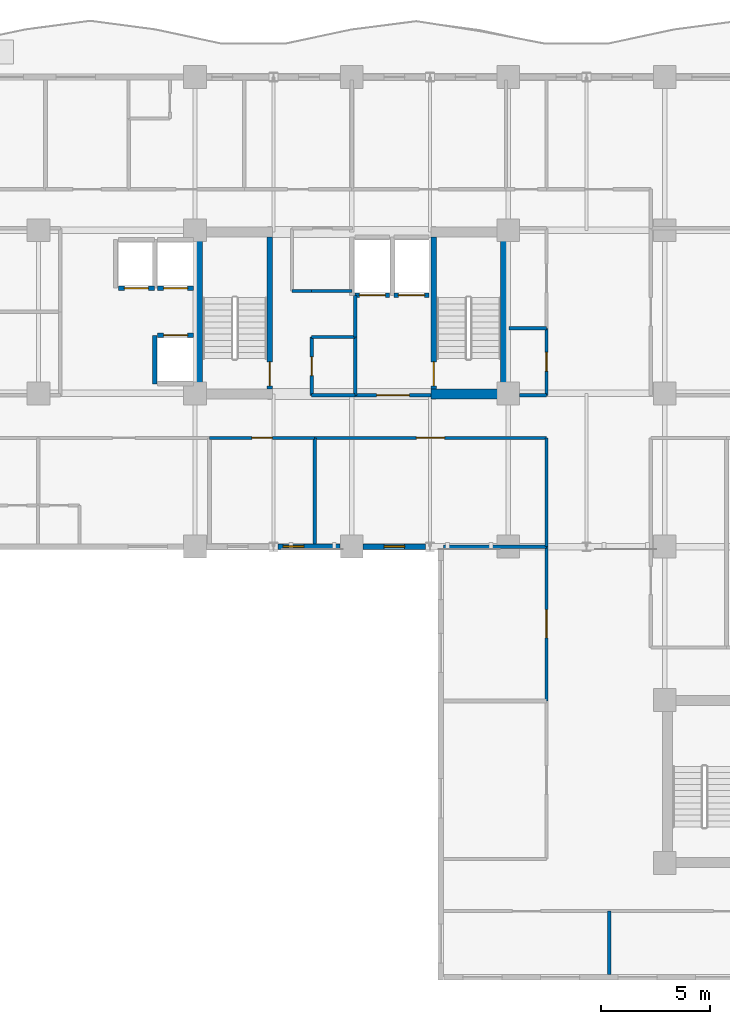
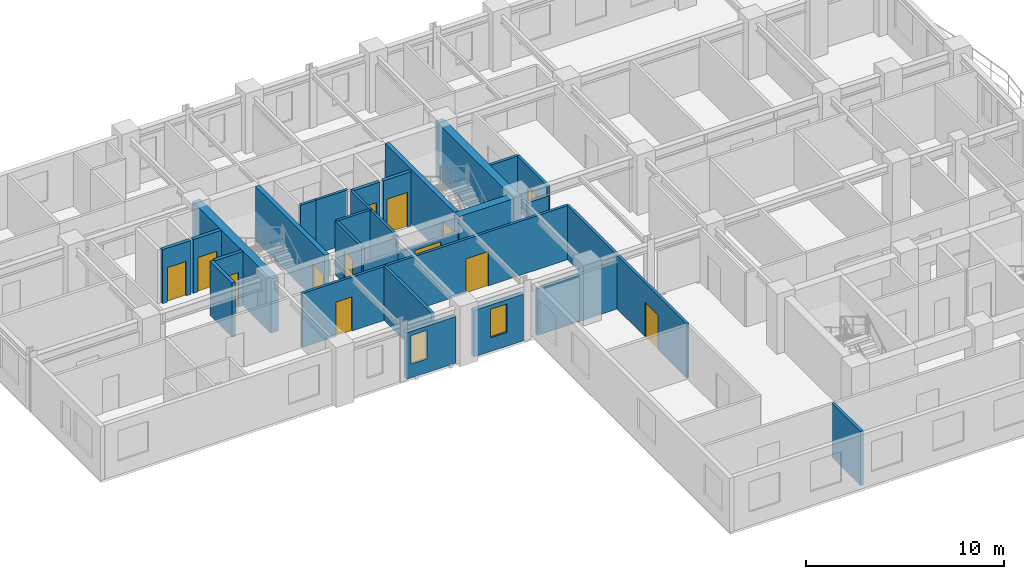
# One storey, part 5 of 13: 31 walls, 13 doors, 2 windows, 15 openings.
"""IFC4 building model written with IfcOpenShell, lengths in metres."""

from ifc_helpers import new_model, si_unit, direction, frame, frame_2d, origin, place, context, subcontext, project, spatial, rectangle, extrude, material, layer, layer_set, type_object, element, fill, save


model = new_model("IFC4")

# Units and contexts
model_context = context("Model", 3, precision=1e-05, world=origin(), true_north=direction((0.0, 1.0)))
body_context = subcontext(model_context, "Body", "Model", "MODEL_VIEW")
ifc_project = project(units=[si_unit("LENGTHUNIT", "METRE"), si_unit("AREAUNIT", "SQUARE_METRE"), si_unit("VOLUMEUNIT", "CUBIC_METRE"), si_unit("PLANEANGLEUNIT", "RADIAN"), si_unit("MASSUNIT", "GRAM", prefix="KILO")], contexts=[model_context])

# Site, building, storey
site_placement = place(None, origin())
site = spatial("IfcSite", under=ifc_project, at=site_placement, CompositionType="ELEMENT")
building_placement = place(site_placement, origin())
building = spatial("IfcBuilding", under=site, at=building_placement, Name="Kaliganga Portal Commons", CompositionType="ELEMENT")
storey_placement = place(building_placement, frame((0.0, 0.0, 188.300048828125)))
storey = spatial("IfcBuildingStorey", under=building, at=storey_placement, Name="L48", CompositionType="ELEMENT", Elevation=188.300048828125)

# Walls
ifc_material_1 = material(Name="Concrete C60/75", Category="concrete")
ifc_layer_1 = layer(ifc_material_1, 0.449951171875)
ifc_layer_set_1 = layer_set([ifc_layer_1], Name="Concrete C60/75")
wall_type_1 = type_object("IfcWallType", Name="WL-CORE-450", PredefinedType="SHEAR", material=ifc_layer_set_1)
for number, where, z_axis, x_axis, name in (
    (1, (14.52490234375, 28.39990234375, 0.0), (0.0, 0.0, 1.0), (0.0, 1.0, 0.0), "Core A West Shear Wall L48"),
    (2, (28.675048828125, 28.39990234375, 0.0), (0.0, 0.0, 1.0), (0.0, 1.0, 0.0), "Core A East Shear Wall L48"),
):
    element("IfcWall", number, at=place(storey_placement, frame(where, z_axis=z_axis, x_axis=x_axis)), inside=storey, type_object=wall_type_1, Name=name, PredefinedType="SHEAR", context=body_context, shape_type="SweptSolid", body=[
        extrude(rectangle(XDim=7.900146484375, YDim=0.449951171875, at=frame_2d((3.9501953125, 0.0))), origin(), (0.0, 0.0, 1.0), 3.33984375),
    ])
wall_1_placement = place(storey_placement, frame((25.25, 28.625, 0.0), z_axis=(0.0, 0.0, 1.0), x_axis=(1.0, 0.0, 0.0)))
element("IfcWall", 3, at=wall_1_placement, inside=storey, type_object=wall_type_1, Name="Core A S-East Shear Wall L48", PredefinedType="SHEAR", context=body_context, shape_type="SweptSolid", body=[
    extrude(rectangle(XDim=3.199951171875, YDim=0.449951171875, at=frame_2d((1.60009765625, 0.0))), origin(), (0.0, 0.0, 1.0), 3.33984375),
])

# Wall, opening, window
ifc_material_2 = material(Name="Insulated Aluminium-Clad Spandrel Assembly", Category="aluminium")
ifc_layer_2 = layer(ifc_material_2, 0.260009765625)
ifc_layer_set_2 = layer_set([ifc_layer_2], Name="Insulated Aluminium-Clad Spandrel Assembly")
wall_type_2 = type_object("IfcWallType", Name="WL-EXT-SPAND-260", PredefinedType="STANDARD", material=ifc_layer_set_2)
wall_2_placement = place(storey_placement, frame((21.073974609375, 21.60009765625, 0.0), z_axis=(0.0, 0.0, 1.0), x_axis=(-1.0, 0.0, 0.0)))
wall_2 = element("IfcWall", 4, at=wall_2_placement, inside=storey, type_object=wall_type_2, Name="Exterior Envelope Wall L48 P1-E04-S3", PredefinedType="STANDARD", context=body_context, shape_type="SweptSolid", body=[
    extrude(rectangle(XDim=2.87109375, YDim=0.260009765625, at=frame_2d((1.435546875, 0.0))), origin(), (0.0, 0.0, 1.0), 2.869873046875),
])
opening_1_placement = place(wall_2_placement, frame((1.672607421875, 0.0, 0.85009765625)))
opening_1 = element("IfcOpeningElement", 5, at=opening_1_placement, cuts=wall_2, Name="Opening W-04", PredefinedType="OPENING", context=body_context, shape_type="SweptSolid", body=[
    extrude(rectangle(XDim=0.949951171875, YDim=1.75, at=frame_2d((0.47509765625, 0.875))), frame((0.0, 0.14013671875, 0.0), z_axis=(0.0, -1.0, 0.0), x_axis=(1.0, 0.0, 0.0)), (0.0, 0.0, 1.0), 0.280029296875),
])
ifc_material_3 = material(Name="Thermally Broken Aluminium and Low-E Double Glazing", Category="aluminium")
window_type = type_object("IfcWindowType", Name="WIN-NARROW-950", PartitioningType="SINGLE_PANEL", PredefinedType="WINDOW", material=ifc_material_3)
window_1_placement = place(opening_1_placement, origin())
window_1 = element("IfcWindow", 6, at=window_1_placement, inside=storey, type_object=window_type, Name="Facade Window L48-P1E04S3-N2", OverallHeight=1.75, OverallWidth=0.949951171875, PartitioningType="SINGLE_PANEL", PredefinedType="WINDOW", context=body_context, shape_type="SweptSolid", body=[
    extrude(rectangle(XDim=0.949951171875, YDim=1.75, at=frame_2d((0.47509765625, 0.875))), frame((0.0, 0.030029296875, 0.0), z_axis=(0.0, -1.0, 0.0), x_axis=(1.0, 0.0, 0.0)), (0.0, 0.0, 1.0), 0.06005859375),
])
fill(opening_1, window_1)

wall_3_placement = place(storey_placement, frame((24.9970703125, 21.60009765625, 0.0), z_axis=(0.0, 0.0, 1.0), x_axis=(-1.0, 0.0, 0.0)))
wall_3 = element("IfcWall", 7, at=wall_3_placement, inside=storey, type_object=wall_type_2, Name="Exterior Envelope Wall L48 P1-E04-S4", PredefinedType="STANDARD", context=body_context, shape_type="SweptSolid", body=[
    extrude(rectangle(XDim=2.87109375, YDim=0.260009765625, at=frame_2d((1.435546875, 0.0))), origin(), (0.0, 0.0, 1.0), 2.869873046875),
])
opening_2_placement = place(wall_3_placement, frame((0.96044921875, 0.0, 0.85009765625)))
opening_2 = element("IfcOpeningElement", 8, at=opening_2_placement, cuts=wall_3, Name="Opening W-04", PredefinedType="OPENING", context=body_context, shape_type="SweptSolid", body=[
    extrude(rectangle(XDim=0.949951171875, YDim=1.75, at=frame_2d((0.47509765625, 0.875))), frame((0.0, 0.14013671875, 0.0), z_axis=(0.0, -1.0, 0.0), x_axis=(1.0, 0.0, 0.0)), (0.0, 0.0, 1.0), 0.280029296875),
])
window_2_placement = place(opening_2_placement, origin())
window_2 = element("IfcWindow", 9, at=window_2_placement, inside=storey, type_object=window_type, Name="Facade Window L48-P1E04S4-00", OverallHeight=1.75, OverallWidth=0.949951171875, PartitioningType="SINGLE_PANEL", PredefinedType="WINDOW", context=body_context, shape_type="SweptSolid", body=[
    extrude(rectangle(XDim=0.949951171875, YDim=1.75, at=frame_2d((0.47509765625, 0.875))), frame((0.0, 0.030029296875, 0.0), z_axis=(0.0, -1.0, 0.0), x_axis=(1.0, 0.0, 0.0)), (0.0, 0.0, 1.0), 0.06005859375),
])
fill(opening_2, window_2)

# Wall, opening, door
ifc_material_4 = material(Name="Fire-Rated Gypsum Board on Steel Stud", Category="steel")
ifc_layer_3 = layer(ifc_material_4, 0.14990234375)
ifc_layer_set_3 = layer_set([ifc_layer_3], Name="Fire-Rated Gypsum Board on Steel Stud")
wall_type_3 = type_object("IfcWallType", Name="WL-PART-CORR-150", PredefinedType="PARTITIONING", material=ifc_layer_set_3)
wall_4_placement = place(storey_placement, frame((19.89990234375, 26.60009765625, 0.0), z_axis=(0.0, 0.0, 1.0), x_axis=(1.0, 0.0, 0.0)))
wall_4 = element("IfcWall", 10, at=wall_4_placement, inside=storey, type_object=wall_type_3, Name="Interior Partition L48-010", PredefinedType="PARTITIONING", context=body_context, shape_type="SweptSolid", body=[
    extrude(rectangle(XDim=10.66015625, YDim=0.14990234375, at=frame_2d((5.330078125, 0.0))), origin(), (0.0, 0.0, 1.0), 3.320068359375),
])
opening_3_placement = place(wall_4_placement, frame((4.679931640625, 0.0, 0.0)))
opening_3 = element("IfcOpeningElement", 11, at=opening_3_placement, cuts=wall_4, Name="Opening RD-03", PredefinedType="OPENING", context=body_context, shape_type="SweptSolid", body=[
    extrude(rectangle(XDim=1.300048828125, YDim=2.1201171875, at=frame_2d((0.64990234375, 1.06005859375))), frame((0.0, 0.0849609375, 0.0), z_axis=(0.0, -1.0, 0.0), x_axis=(1.0, 0.0, 0.0)), (0.0, 0.0, 1.0), 0.169921875),
])
ifc_material_5 = material(Name="Glazed Timber Seminar Vision Door", Category="wood")
door_type_1 = type_object("IfcDoorType", Name="DR-STUDY-1300", OperationType="DOUBLE_DOOR_SINGLE_SWING", PredefinedType="DOOR", material=ifc_material_5)
door_1_placement = place(opening_3_placement, origin())
door_1 = element("IfcDoor", 12, at=door_1_placement, inside=storey, type_object=door_type_1, Name="Interior Door L48-AS04", OperationType="DOUBLE_DOOR_SINGLE_SWING", OverallHeight=2.1201171875, OverallWidth=1.300048828125, PredefinedType="DOOR", context=body_context, shape_type="SweptSolid", body=[
    extrude(rectangle(XDim=1.300048828125, YDim=2.1201171875, at=frame_2d((0.64990234375, 1.06005859375))), frame((0.0, 0.02490234375, 0.0), z_axis=(0.0, -1.0, 0.0), x_axis=(1.0, 0.0, 0.0)), (0.0, 0.0, 1.0), 0.050048828125),
])
fill(opening_3, door_1)

wall_5_placement = place(storey_placement, frame((30.56005859375, 14.5, 0.0), z_axis=(0.0, 0.0, 1.0), x_axis=(0.0, 1.0, 0.0)))
wall_5 = element("IfcWall", 13, at=wall_5_placement, inside=storey, type_object=wall_type_3, Name="Interior Partition L48-021", PredefinedType="PARTITIONING", context=body_context, shape_type="SweptSolid", body=[
    extrude(rectangle(XDim=7.10009765625, YDim=0.14990234375, at=frame_2d((3.550048828125, 0.0))), origin(), (0.0, 0.0, 1.0), 3.320068359375),
])
opening_4_placement = place(wall_5_placement, frame((2.89990234375, 0.0, 0.0)))
opening_4 = element("IfcOpeningElement", 14, at=opening_4_placement, cuts=wall_5, Name="Opening RD-03", PredefinedType="OPENING", context=body_context, shape_type="SweptSolid", body=[
    extrude(rectangle(XDim=1.300048828125, YDim=2.1201171875, at=frame_2d((0.64990234375, 1.06005859375))), frame((0.0, 0.0849609375, 0.0), z_axis=(0.0, -1.0, 0.0), x_axis=(1.0, 0.0, 0.0)), (0.0, 0.0, 1.0), 0.169921875),
])
door_2_placement = place(opening_4_placement, origin())
door_2 = element("IfcDoor", 15, at=door_2_placement, inside=storey, type_object=door_type_1, Name="Interior Door L48-KW02", OperationType="DOUBLE_DOOR_SINGLE_SWING", OverallHeight=2.1201171875, OverallWidth=1.300048828125, PredefinedType="DOOR", context=body_context, shape_type="SweptSolid", body=[
    extrude(rectangle(XDim=1.300048828125, YDim=2.1201171875, at=frame_2d((0.64990234375, 1.06005859375))), frame((0.0, 0.02490234375, 0.0), z_axis=(0.0, -1.0, 0.0), x_axis=(1.0, 0.0, 0.0)), (0.0, 0.0, 1.0), 0.050048828125),
])
fill(opening_4, door_2)

# Wall
wall_6_placement = place(storey_placement, frame((30.56005859375, 21.60009765625, 0.0), z_axis=(0.0, 0.0, 1.0), x_axis=(0.0, 1.0, 0.0)))
element("IfcWall", 16, at=wall_6_placement, inside=storey, type_object=wall_type_3, Name="Interior Partition L48-028", PredefinedType="PARTITIONING", context=body_context, shape_type="SweptSolid", body=[
    extrude(rectangle(XDim=5.0, YDim=0.14990234375, at=frame_2d((2.5, 0.0))), origin(), (0.0, 0.0, 1.0), 3.320068359375),
])

# Wall, opening, door
wall_7_placement = place(storey_placement, frame((15.06005859375, 26.60009765625, 0.0), z_axis=(0.0, 0.0, 1.0), x_axis=(1.0, 0.0, 0.0)))
wall_7 = element("IfcWall", 17, at=wall_7_placement, inside=storey, type_object=wall_type_3, Name="Interior Partition L48-033", PredefinedType="PARTITIONING", context=body_context, shape_type="SweptSolid", body=[
    extrude(rectangle(XDim=4.83984375, YDim=0.14990234375, at=frame_2d((2.419921875, 0.0))), origin(), (0.0, 0.0, 1.0), 3.320068359375),
])
opening_5_placement = place(wall_7_placement, frame((1.945068359375, 0.0, 0.0)))
opening_5 = element("IfcOpeningElement", 18, at=opening_5_placement, cuts=wall_7, Name="Opening UD-01", PredefinedType="OPENING", context=body_context, shape_type="SweptSolid", body=[
    extrude(rectangle(XDim=0.949951171875, YDim=2.10009765625, at=frame_2d((0.47509765625, 1.050048828125))), frame((0.0, 0.0849609375, 0.0), z_axis=(0.0, -1.0, 0.0), x_axis=(1.0, 0.0, 0.0)), (0.0, 0.0, 1.0), 0.169921875),
])
ifc_material_6 = material(Name="Solid-Core Timber Acoustic Fire Door", Category="wood")
door_type_2 = type_object("IfcDoorType", Name="DR-UNIT-950", OperationType="NOTDEFINED", PredefinedType="DOOR", material=ifc_material_6)
door_3_placement = place(opening_5_placement, origin())
door_3 = element("IfcDoor", 19, at=door_3_placement, inside=storey, type_object=door_type_2, Name="Interior Door L48-AS03", OperationType="SINGLE_SWING_LEFT", OverallHeight=2.10009765625, OverallWidth=0.949951171875, PredefinedType="DOOR", context=body_context, shape_type="SweptSolid", body=[
    extrude(rectangle(XDim=0.949951171875, YDim=2.10009765625, at=frame_2d((0.47509765625, 1.050048828125))), frame((0.0, 0.02490234375, 0.0), z_axis=(0.0, -1.0, 0.0), x_axis=(1.0, 0.0, 0.0)), (0.0, 0.0, 1.0), 0.050048828125),
])
fill(opening_5, door_3)

wall_8_placement = place(storey_placement, frame((30.56005859375, 28.56005859375, 0.0), z_axis=(0.0, 0.0, 1.0), x_axis=(0.0, 1.0, 0.0)))
wall_8 = element("IfcWall", 20, at=wall_8_placement, inside=storey, type_object=wall_type_3, Name="Interior Partition L48-048", PredefinedType="PARTITIONING", context=body_context, shape_type="SweptSolid", body=[
    extrude(rectangle(XDim=3.079833984375, YDim=0.14990234375, at=frame_2d((1.5400390625, 0.0))), origin(), (0.0, 0.0, 1.0), 3.320068359375),
])
opening_6_placement = place(wall_8_placement, frame((1.110107421875, 0.0, 0.0)))
opening_6 = element("IfcOpeningElement", 21, at=opening_6_placement, cuts=wall_8, Name="Opening WD-02", PredefinedType="OPENING", context=body_context, shape_type="SweptSolid", body=[
    extrude(rectangle(XDim=0.860107421875, YDim=2.02001953125, at=frame_2d((0.43017578125, 1.010009765625))), frame((0.0, 0.0849609375, 0.0), z_axis=(0.0, -1.0, 0.0), x_axis=(1.0, 0.0, 0.0)), (0.0, 0.0, 1.0), 0.169921875),
])
ifc_material_7 = material(Name="Fire-Rated Utility Closet Door", Category="wood")
door_type_3 = type_object("IfcDoorType", Name="DR-STORE-800", OperationType="NOTDEFINED", PredefinedType="DOOR", material=ifc_material_7)
door_4_placement = place(opening_6_placement, origin())
door_4 = element("IfcDoor", 22, at=door_4_placement, inside=storey, type_object=door_type_3, Name="Interior Door L48-CSRV_A1", OperationType="SINGLE_SWING_LEFT", OverallHeight=2.02001953125, OverallWidth=0.860107421875, PredefinedType="DOOR", context=body_context, shape_type="SweptSolid", body=[
    extrude(rectangle(XDim=0.860107421875, YDim=2.02001953125, at=frame_2d((0.43017578125, 1.010009765625))), frame((0.0, 0.02490234375, 0.0), z_axis=(0.0, -1.0, 0.0), x_axis=(1.0, 0.0, 0.0)), (0.0, 0.0, 1.0), 0.050048828125),
])
fill(opening_6, door_4)

wall_9_placement = place(storey_placement, frame((19.760009765625, 28.56005859375, 0.0), z_axis=(0.0, 0.0, 1.0), x_axis=(0.0, 1.0, 0.0)))
wall_9 = element("IfcWall", 23, at=wall_9_placement, inside=storey, type_object=wall_type_3, Name="Interior Partition L48-055", PredefinedType="PARTITIONING", context=body_context, shape_type="SweptSolid", body=[
    extrude(rectangle(XDim=2.679931640625, YDim=0.14990234375, at=frame_2d((1.33984375, 0.0))), origin(), (0.0, 0.0, 1.0), 3.320068359375),
])
opening_7_placement = place(wall_9_placement, frame((0.909912109375, 0.0, 0.0)))
opening_7 = element("IfcOpeningElement", 24, at=opening_7_placement, cuts=wall_9, Name="Opening WD-02", PredefinedType="OPENING", context=body_context, shape_type="SweptSolid", body=[
    extrude(rectangle(XDim=0.860107421875, YDim=2.02001953125, at=frame_2d((0.43017578125, 1.010009765625))), frame((0.0, 0.0849609375, 0.0), z_axis=(0.0, -1.0, 0.0), x_axis=(1.0, 0.0, 0.0)), (0.0, 0.0, 1.0), 0.169921875),
])
door_5_placement = place(opening_7_placement, origin())
door_5 = element("IfcDoor", 25, at=door_5_placement, inside=storey, type_object=door_type_3, Name="Interior Door L48-CIN_A1", OperationType="SINGLE_SWING_LEFT", OverallHeight=2.02001953125, OverallWidth=0.860107421875, PredefinedType="DOOR", context=body_context, shape_type="SweptSolid", body=[
    extrude(rectangle(XDim=0.860107421875, YDim=2.02001953125, at=frame_2d((0.43017578125, 1.010009765625))), frame((0.0, 0.02490234375, 0.0), z_axis=(0.0, -1.0, 0.0), x_axis=(1.0, 0.0, 0.0)), (0.0, 0.0, 1.0), 0.050048828125),
])
fill(opening_7, door_5)

# Walls
wall_10_placement = place(storey_placement, frame((21.760009765625, 28.56005859375, 0.0), z_axis=(0.0, 0.0, 1.0), x_axis=(0.0, 1.0, 0.0)))
element("IfcWall", 26, at=wall_10_placement, inside=storey, type_object=wall_type_3, Name="Interior Partition L48-056", PredefinedType="PARTITIONING", context=body_context, shape_type="SweptSolid", body=[
    extrude(rectangle(XDim=2.679931640625, YDim=0.14990234375, at=frame_2d((1.33984375, 0.0))), origin(), (0.0, 0.0, 1.0), 3.320068359375),
])
wall_11_placement = place(storey_placement, frame((19.760009765625, 28.56005859375, 0.0), z_axis=(0.0, 0.0, 1.0), x_axis=(1.0, 0.0, 0.0)))
element("IfcWall", 27, at=wall_11_placement, inside=storey, type_object=wall_type_3, Name="Interior Partition L48-059", PredefinedType="PARTITIONING", context=body_context, shape_type="SweptSolid", body=[
    extrude(rectangle(XDim=2.0, YDim=0.14990234375, at=frame_2d((1.0, 0.0))), origin(), (0.0, 0.0, 1.0), 2.320068359375),
])
wall_12_placement = place(storey_placement, frame((19.760009765625, 31.239990234375, 0.0), z_axis=(0.0, 0.0, 1.0), x_axis=(1.0, 0.0, 0.0)))
element("IfcWall", 28, at=wall_12_placement, inside=storey, type_object=wall_type_3, Name="Interior Partition L48-060", PredefinedType="PARTITIONING", context=body_context, shape_type="SweptSolid", body=[
    extrude(rectangle(XDim=2.0, YDim=0.14990234375, at=frame_2d((1.0, 0.0))), origin(), (0.0, 0.0, 1.0), 3.320068359375),
])
wall_13_placement = place(storey_placement, frame((19.760009765625, 33.360107421875, 0.0), z_axis=(0.0, 0.0, 1.0), x_axis=(1.0, 0.0, 0.0)))
element("IfcWall", 29, at=wall_13_placement, inside=storey, type_object=wall_type_3, Name="Interior Partition L48-061", PredefinedType="PARTITIONING", context=body_context, shape_type="SweptSolid", body=[
    extrude(rectangle(XDim=1.85009765625, YDim=0.14990234375, at=frame_2d((0.925048828125, 0.0))), origin(), (0.0, 0.0, 1.0), 3.320068359375),
])
wall_14_placement = place(storey_placement, frame((29.324951171875, 28.56005859375, 0.0), z_axis=(0.0, 0.0, 1.0), x_axis=(1.0, 0.0, 0.0)))
element("IfcWall", 30, at=wall_14_placement, inside=storey, type_object=wall_type_3, Name="Interior Partition L48-064", PredefinedType="PARTITIONING", context=body_context, shape_type="SweptSolid", body=[
    extrude(rectangle(XDim=1.235107421875, YDim=0.14990234375, at=frame_2d((0.61767578125, 0.0))), origin(), (0.0, 0.0, 1.0), 2.719970703125),
])
wall_15_placement = place(storey_placement, frame((18.860107421875, 33.360107421875, 0.0), z_axis=(0.0, 0.0, 1.0), x_axis=(1.0, 0.0, 0.0)))
element("IfcWall", 31, at=wall_15_placement, inside=storey, type_object=wall_type_3, Name="Interior Partition L48-066", PredefinedType="PARTITIONING", context=body_context, shape_type="SweptSolid", body=[
    extrude(rectangle(XDim=0.89990234375, YDim=0.14990234375, at=frame_2d((0.449951171875, 0.0))), origin(), (0.0, 0.0, 1.0), 3.320068359375),
])

# Wall, opening, door
wall_16_placement = place(storey_placement, frame((21.760009765625, 28.56005859375, 0.0), z_axis=(0.0, 0.0, 1.0), x_axis=(1.0, 0.0, 0.0)))
wall_16 = element("IfcWall", 32, at=wall_16_placement, inside=storey, type_object=wall_type_3, Name="Interior Partition L48-089", PredefinedType="PARTITIONING", context=body_context, shape_type="SweptSolid", body=[
    extrude(rectangle(XDim=3.47998046875, YDim=0.14990234375, at=frame_2d((1.739990234375, 0.0))), origin(), (0.0, 0.0, 1.0), 2.320068359375),
])
opening_8_placement = place(wall_16_placement, frame((0.989990234375, 0.0, 0.0)))
opening_8 = element("IfcOpeningElement", 33, at=opening_8_placement, cuts=wall_16, Name="Opening FD-01", PredefinedType="OPENING", context=body_context, shape_type="SweptSolid", body=[
    extrude(rectangle(XDim=1.5, YDim=2.10009765625, at=frame_2d((0.75, 1.050048828125))), frame((0.0, 0.0849609375, 0.0), z_axis=(0.0, -1.0, 0.0), x_axis=(1.0, 0.0, 0.0)), (0.0, 0.0, 1.0), 0.169921875),
])
ifc_material_8 = material(Name="Fire-Rated Hardwood and Georgian-Wired Vision Panel", Category="wood")
door_type_4 = type_object("IfcDoorType", Name="DR-LOBBY-1500", OperationType="DOUBLE_DOOR_SINGLE_SWING", PredefinedType="DOOR", material=ifc_material_8)
door_6_placement = place(opening_8_placement, origin())
door_6 = element("IfcDoor", 34, at=door_6_placement, inside=storey, type_object=door_type_4, Name="Interior Door L48-FFLOB_A", OperationType="DOUBLE_DOOR_SINGLE_SWING", OverallHeight=2.10009765625, OverallWidth=1.5, PredefinedType="DOOR", context=body_context, shape_type="SweptSolid", body=[
    extrude(rectangle(XDim=1.5, YDim=2.10009765625, at=frame_2d((0.75, 1.050048828125))), frame((0.0, 0.02490234375, 0.0), z_axis=(0.0, -1.0, 0.0), x_axis=(1.0, 0.0, 0.0)), (0.0, 0.0, 1.0), 0.050048828125),
])
fill(opening_8, door_6)

# Walls
wall_17_placement = place(storey_placement, frame((21.760009765625, 31.239990234375, 0.0), z_axis=(0.0, 0.0, 1.0), x_axis=(0.0, 1.0, 0.0)))
element("IfcWall", 35, at=wall_17_placement, inside=storey, type_object=wall_type_3, Name="Interior Partition L48-094", PredefinedType="PARTITIONING", context=body_context, shape_type="SweptSolid", body=[
    extrude(rectangle(XDim=1.919921875, YDim=0.14990234375, at=frame_2d((0.9599609375, 0.0))), origin(), (0.0, 0.0, 1.0), 3.320068359375),
])
ifc_material_9 = material(Name="Twin-Stud Acoustic Gypsum Partition", Category="gypsum")
ifc_layer_4 = layer(ifc_material_9, 0.1650390625)
ifc_layer_set_4 = layer_set([ifc_layer_4], Name="Twin-Stud Acoustic Gypsum Partition")
wall_type_4 = type_object("IfcWallType", Name="WL-PART-UNIT-165", PredefinedType="PARTITIONING", material=ifc_layer_set_4)
wall_18_placement = place(storey_placement, frame((19.89990234375, 21.73193359375, 0.0), z_axis=(0.0, 0.0, 1.0), x_axis=(0.0, 1.0, 0.0)))
element("IfcWall", 36, at=wall_18_placement, inside=storey, type_object=wall_type_4, Name="Interior Partition L48-082", PredefinedType="PARTITIONING", context=body_context, shape_type="SweptSolid", body=[
    extrude(rectangle(XDim=4.8681640625, YDim=0.1650390625, at=frame_2d((2.43408203125, 0.0))), origin(), (0.0, 0.0, 1.0), 3.320068359375),
])
wall_19_placement = place(storey_placement, frame((25.83203125, 21.60009765625, 0.0), z_axis=(0.0, 0.0, 1.0), x_axis=(1.0, 0.0, 0.0)))
element("IfcWall", 37, at=wall_19_placement, inside=storey, type_object=wall_type_4, Name="Interior Partition L48-084", PredefinedType="PARTITIONING", context=body_context, shape_type="SweptSolid", body=[
    extrude(rectangle(XDim=4.72802734375, YDim=0.1650390625, at=frame_2d((2.364013671875, 0.0))), origin(), (0.0, 0.0, 1.0), 2.869873046875),
])
wall_20_placement = place(storey_placement, frame((33.43994140625, 1.931884765625, 0.0), z_axis=(0.0, 0.0, 1.0), x_axis=(0.0, 1.0, 0.0)))
element("IfcWall", 38, at=wall_20_placement, inside=storey, type_object=wall_type_4, Name="Interior Partition L48-092", PredefinedType="PARTITIONING", context=body_context, shape_type="SweptSolid", body=[
    extrude(rectangle(XDim=2.908203125, YDim=0.1650390625, at=frame_2d((1.4541015625, 0.0))), origin(), (0.0, 0.0, 1.0), 3.320068359375),
])
wall_21_placement = place(storey_placement, frame((28.840087890625, 31.639892578125, 0.0), z_axis=(0.0, 0.0, 1.0), x_axis=(1.0, 0.0, 0.0)))
element("IfcWall", 39, at=wall_21_placement, inside=storey, type_object=wall_type_4, Name="Interior Partition L48-095", PredefinedType="PARTITIONING", context=body_context, shape_type="SweptSolid", body=[
    extrude(rectangle(XDim=1.719970703125, YDim=0.1650390625, at=frame_2d((0.85986328125, 0.0))), origin(), (0.0, 0.0, 1.0), 3.320068359375),
])

# Wall, opening, door
ifc_material_10 = material(Name="Fire-Rated Shaftwall Masonry Assembly", Category="masonry")
ifc_layer_5 = layer(ifc_material_10, 0.199951171875)
ifc_layer_set_5 = layer_set([ifc_layer_5], Name="Fire-Rated Shaftwall Masonry Assembly")
wall_type_5 = type_object("IfcWallType", Name="WL-SHAFT-200", PredefinedType="PARTITIONING", material=ifc_layer_set_5)
wall_22_placement = place(storey_placement, frame((12.675048828125, 33.485107421875, 0.0), z_axis=(0.0, 0.0, 1.0), x_axis=(1.0, 0.0, 0.0)))
wall_22 = element("IfcWall", 40, at=wall_22_placement, inside=storey, type_object=wall_type_5, Name="Lift PL-A3 Hoistway Shaft Wall L48-S", PredefinedType="PARTITIONING", context=body_context, shape_type="SweptSolid", body=[
    extrude(rectangle(XDim=1.64990234375, YDim=0.199951171875, at=frame_2d((0.824951171875, 0.0))), origin(), (0.0, 0.0, 1.0), 3.320068359375),
])
opening_9_placement = place(wall_22_placement, frame((0.27490234375, 0.0, 0.0)))
opening_9 = element("IfcOpeningElement", 41, at=opening_9_placement, cuts=wall_22, Name="Opening LD-01", PredefinedType="OPENING", context=body_context, shape_type="SweptSolid", body=[
    extrude(rectangle(XDim=1.10009765625, YDim=2.1201171875, at=frame_2d((0.550048828125, 1.06005859375))), frame((0.0, 0.10986328125, 0.0), z_axis=(0.0, -1.0, 0.0), x_axis=(1.0, 0.0, 0.0)), (0.0, 0.0, 1.0), 0.219970703125),
])
ifc_material_11 = material(Name="Brushed Stainless Steel 316 Lift Landing Door", Category="steel")
door_type_5 = type_object("IfcDoorType", Name="DR-LIFT-1100", OperationType="SLIDING_TO_LEFT", PredefinedType="DOOR", material=ifc_material_11)
door_7_placement = place(opening_9_placement, origin())
door_7 = element("IfcDoor", 42, at=door_7_placement, inside=storey, type_object=door_type_5, Name="Lift PL-A3 Sliding Landing Door L48", OperationType="SLIDING_TO_LEFT", OverallHeight=2.1201171875, OverallWidth=1.10009765625, PredefinedType="DOOR", context=body_context, shape_type="SweptSolid", body=[
    extrude(rectangle(XDim=1.10009765625, YDim=2.1201171875, at=frame_2d((0.550048828125, 1.06005859375))), frame((0.0, 0.02490234375, 0.0), z_axis=(0.0, -1.0, 0.0), x_axis=(1.0, 0.0, 0.0)), (0.0, 0.0, 1.0), 0.050048828125),
])
fill(opening_9, door_7)

wall_23_placement = place(storey_placement, frame((12.675048828125, 31.31494140625, 0.0), z_axis=(0.0, 0.0, 1.0), x_axis=(1.0, 0.0, 0.0)))
wall_23 = element("IfcWall", 43, at=wall_23_placement, inside=storey, type_object=wall_type_5, Name="Lift PL-A4 Hoistway Shaft Wall L48-N", PredefinedType="PARTITIONING", context=body_context, shape_type="SweptSolid", body=[
    extrude(rectangle(XDim=1.64990234375, YDim=0.199951171875, at=frame_2d((0.824951171875, 0.0))), origin(), (0.0, 0.0, 1.0), 3.320068359375),
])
opening_10_placement = place(wall_23_placement, frame((0.27490234375, 0.0, 0.0)))
opening_10 = element("IfcOpeningElement", 44, at=opening_10_placement, cuts=wall_23, Name="Opening LD-01", PredefinedType="OPENING", context=body_context, shape_type="SweptSolid", body=[
    extrude(rectangle(XDim=1.10009765625, YDim=2.1201171875, at=frame_2d((0.550048828125, 1.06005859375))), frame((0.0, 0.10986328125, 0.0), z_axis=(0.0, -1.0, 0.0), x_axis=(1.0, 0.0, 0.0)), (0.0, 0.0, 1.0), 0.219970703125),
])
door_8_placement = place(opening_10_placement, origin())
door_8 = element("IfcDoor", 45, at=door_8_placement, inside=storey, type_object=door_type_5, Name="Lift PL-A4 Sliding Landing Door L48", OperationType="SLIDING_TO_LEFT", OverallHeight=2.1201171875, OverallWidth=1.10009765625, PredefinedType="DOOR", context=body_context, shape_type="SweptSolid", body=[
    extrude(rectangle(XDim=1.10009765625, YDim=2.1201171875, at=frame_2d((0.550048828125, 1.06005859375))), frame((0.0, 0.02490234375, 0.0), z_axis=(0.0, -1.0, 0.0), x_axis=(1.0, 0.0, 0.0)), (0.0, 0.0, 1.0), 0.050048828125),
])
fill(opening_10, door_8)

# Wall
wall_24_placement = place(storey_placement, frame((12.534912109375, 29.0849609375, 0.0), z_axis=(0.0, 0.0, 1.0), x_axis=(0.0, 1.0, 0.0)))
element("IfcWall", 46, at=wall_24_placement, inside=storey, type_object=wall_type_5, Name="Lift PL-A4 Hoistway Shaft Wall L48-W", PredefinedType="PARTITIONING", context=body_context, shape_type="SweptSolid", body=[
    extrude(rectangle(XDim=2.22998046875, YDim=0.199951171875, at=frame_2d((1.114990234375, 0.0))), origin(), (0.0, 0.0, 1.0), 3.320068359375),
])

# Wall, opening, door
wall_25_placement = place(storey_placement, frame((10.875, 33.485107421875, 0.0), z_axis=(0.0, 0.0, 1.0), x_axis=(1.0, 0.0, 0.0)))
wall_25 = element("IfcWall", 47, at=wall_25_placement, inside=storey, type_object=wall_type_5, Name="Lift PL-OBS Hoistway Shaft Wall L48-S", PredefinedType="PARTITIONING", context=body_context, shape_type="SweptSolid", body=[
    extrude(rectangle(XDim=1.64990234375, YDim=0.199951171875, at=frame_2d((0.824951171875, 0.0))), origin(), (0.0, 0.0, 1.0), 3.320068359375),
])
opening_11_placement = place(wall_25_placement, frame((0.27490234375, 0.0, 0.0)))
opening_11 = element("IfcOpeningElement", 48, at=opening_11_placement, cuts=wall_25, Name="Opening LD-01", PredefinedType="OPENING", context=body_context, shape_type="SweptSolid", body=[
    extrude(rectangle(XDim=1.10009765625, YDim=2.1201171875, at=frame_2d((0.550048828125, 1.06005859375))), frame((0.0, 0.10986328125, 0.0), z_axis=(0.0, -1.0, 0.0), x_axis=(1.0, 0.0, 0.0)), (0.0, 0.0, 1.0), 0.219970703125),
])
door_9_placement = place(opening_11_placement, origin())
door_9 = element("IfcDoor", 49, at=door_9_placement, inside=storey, type_object=door_type_5, Name="Lift PL-OBS Sliding Landing Door L48", OperationType="SLIDING_TO_LEFT", OverallHeight=2.1201171875, OverallWidth=1.10009765625, PredefinedType="DOOR", context=body_context, shape_type="SweptSolid", body=[
    extrude(rectangle(XDim=1.10009765625, YDim=2.1201171875, at=frame_2d((0.550048828125, 1.06005859375))), frame((0.0, 0.02490234375, 0.0), z_axis=(0.0, -1.0, 0.0), x_axis=(1.0, 0.0, 0.0)), (0.0, 0.0, 1.0), 0.050048828125),
])
fill(opening_11, door_9)

wall_26_placement = place(storey_placement, frame((21.75, 33.159912109375, 0.0), z_axis=(0.0, 0.0, 1.0), x_axis=(1.0, 0.0, 0.0)))
wall_26 = element("IfcWall", 50, at=wall_26_placement, inside=storey, type_object=wall_type_5, Name="Lift FFL-1 Hoistway Shaft Wall L48-S", PredefinedType="PARTITIONING", context=body_context, shape_type="SweptSolid", body=[
    extrude(rectangle(XDim=1.60009765625, YDim=0.199951171875, at=frame_2d((0.800048828125, 0.0))), origin(), (0.0, 0.0, 1.0), 3.320068359375),
])
opening_12_placement = place(wall_26_placement, frame((0.199951171875, 0.0, 0.0)))
opening_12 = element("IfcOpeningElement", 51, at=opening_12_placement, cuts=wall_26, Name="Opening LD-02", PredefinedType="OPENING", context=body_context, shape_type="SweptSolid", body=[
    extrude(rectangle(XDim=1.199951171875, YDim=2.1201171875, at=frame_2d((0.60009765625, 1.06005859375))), frame((0.0, 0.10986328125, 0.0), z_axis=(0.0, -1.0, 0.0), x_axis=(1.0, 0.0, 0.0)), (0.0, 0.0, 1.0), 0.219970703125),
])
ifc_material_12 = material(Name="Brushed Stainless Steel 316 Stretcher Lift Landing Door", Category="steel")
door_type_6 = type_object("IfcDoorType", Name="DR-LIFT-1200", OperationType="SLIDING_TO_RIGHT", PredefinedType="DOOR", material=ifc_material_12)
door_10_placement = place(opening_12_placement, origin())
door_10 = element("IfcDoor", 52, at=door_10_placement, inside=storey, type_object=door_type_6, Name="Lift FFL-1 Sliding Landing Door L48", OperationType="SLIDING_TO_RIGHT", OverallHeight=2.1201171875, OverallWidth=1.199951171875, PredefinedType="DOOR", context=body_context, shape_type="SweptSolid", body=[
    extrude(rectangle(XDim=1.199951171875, YDim=2.1201171875, at=frame_2d((0.60009765625, 1.06005859375))), frame((0.0, 0.02490234375, 0.0), z_axis=(0.0, -1.0, 0.0), x_axis=(1.0, 0.0, 0.0)), (0.0, 0.0, 1.0), 0.050048828125),
])
fill(opening_12, door_10)

wall_27_placement = place(storey_placement, frame((23.550048828125, 33.159912109375, 0.0), z_axis=(0.0, 0.0, 1.0), x_axis=(1.0, 0.0, 0.0)))
wall_27 = element("IfcWall", 53, at=wall_27_placement, inside=storey, type_object=wall_type_5, Name="Lift FFL-2 Hoistway Shaft Wall L48-S", PredefinedType="PARTITIONING", context=body_context, shape_type="SweptSolid", body=[
    extrude(rectangle(XDim=1.599853515625, YDim=0.199951171875, at=frame_2d((0.7998046875, 0.0))), origin(), (0.0, 0.0, 1.0), 3.320068359375),
])
opening_13_placement = place(wall_27_placement, frame((0.199951171875, 0.0, 0.0)))
opening_13 = element("IfcOpeningElement", 54, at=opening_13_placement, cuts=wall_27, Name="Opening LD-02", PredefinedType="OPENING", context=body_context, shape_type="SweptSolid", body=[
    extrude(rectangle(XDim=1.199951171875, YDim=2.1201171875, at=frame_2d((0.60009765625, 1.06005859375))), frame((0.0, 0.10986328125, 0.0), z_axis=(0.0, -1.0, 0.0), x_axis=(1.0, 0.0, 0.0)), (0.0, 0.0, 1.0), 0.219970703125),
])
door_11_placement = place(opening_13_placement, origin())
door_11 = element("IfcDoor", 55, at=door_11_placement, inside=storey, type_object=door_type_6, Name="Lift FFL-2 Sliding Landing Door L48", OperationType="SLIDING_TO_RIGHT", OverallHeight=2.1201171875, OverallWidth=1.199951171875, PredefinedType="DOOR", context=body_context, shape_type="SweptSolid", body=[
    extrude(rectangle(XDim=1.199951171875, YDim=2.1201171875, at=frame_2d((0.60009765625, 1.06005859375))), frame((0.0, 0.02490234375, 0.0), z_axis=(0.0, -1.0, 0.0), x_axis=(1.0, 0.0, 0.0)), (0.0, 0.0, 1.0), 0.050048828125),
])
fill(opening_13, door_11)

ifc_material_13 = material(Name="Concrete C50/60", Category="concrete")
ifc_layer_6 = layer(ifc_material_13, 0.25)
ifc_layer_set_6 = layer_set([ifc_layer_6], Name="Concrete C50/60")
wall_type_6 = type_object("IfcWallType", Name="WL-STAIR-250", PredefinedType="SHEAR", material=ifc_layer_set_6)
wall_28_placement = place(storey_placement, frame((17.824951171875, 28.85009765625, 0.0), z_axis=(0.0, 0.0, 1.0), x_axis=(0.0, 1.0, 0.0)))
wall_28 = element("IfcWall", 56, at=wall_28_placement, inside=storey, type_object=wall_type_6, Name="Stair A1 Enclosure Shear Wall L48", PredefinedType="SHEAR", context=body_context, shape_type="SweptSolid", body=[
    extrude(rectangle(XDim=7.0, YDim=0.25, at=frame_2d((3.5, 0.0))), origin(), (0.0, 0.0, 1.0), 3.33984375),
])
opening_14_placement = place(wall_28_placement, frame((0.14990234375, 0.0, 0.0)))
opening_14 = element("IfcOpeningElement", 57, at=opening_14_placement, cuts=wall_28, Name="Opening SD-01", PredefinedType="OPENING", context=body_context, shape_type="SweptSolid", body=[
    extrude(rectangle(XDim=1.10009765625, YDim=2.080078125, at=frame_2d((0.550048828125, 1.0400390625))), frame((0.0, 0.135009765625, 0.0), z_axis=(0.0, -1.0, 0.0), x_axis=(1.0, 0.0, 0.0)), (0.0, 0.0, 1.0), 0.27001953125),
])
ifc_material_14 = material(Name="Galvanized Steel Fire Door Leaf and Frame", Category="steel")
door_type_7 = type_object("IfcDoorType", Name="DR-STAIR-1100", OperationType="NOTDEFINED", PredefinedType="DOOR", material=ifc_material_14)
door_12_placement = place(opening_14_placement, origin())
door_12 = element("IfcDoor", 58, at=door_12_placement, inside=storey, type_object=door_type_7, Name="Protected Stair ST-A1 Fire Door L48", OperationType="SINGLE_SWING_RIGHT", OverallHeight=2.080078125, OverallWidth=1.10009765625, PredefinedType="DOOR", context=body_context, shape_type="SweptSolid", body=[
    extrude(rectangle(XDim=1.10009765625, YDim=2.080078125, at=frame_2d((0.550048828125, 1.0400390625))), frame((0.0, 0.02490234375, 0.0), z_axis=(0.0, -1.0, 0.0), x_axis=(1.0, 0.0, 0.0)), (0.0, 0.0, 1.0), 0.050048828125),
])
fill(opening_14, door_12)

wall_29_placement = place(storey_placement, frame((25.375, 28.85009765625, 0.0), z_axis=(0.0, 0.0, 1.0), x_axis=(0.0, 1.0, 0.0)))
wall_29 = element("IfcWall", 59, at=wall_29_placement, inside=storey, type_object=wall_type_6, Name="Stair A2 Enclosure Shear Wall L48", PredefinedType="SHEAR", context=body_context, shape_type="SweptSolid", body=[
    extrude(rectangle(XDim=7.0, YDim=0.25, at=frame_2d((3.5, 0.0))), origin(), (0.0, 0.0, 1.0), 3.33984375),
])
opening_15_placement = place(wall_29_placement, frame((0.14990234375, 0.0, 0.0)))
opening_15 = element("IfcOpeningElement", 60, at=opening_15_placement, cuts=wall_29, Name="Opening SD-01", PredefinedType="OPENING", context=body_context, shape_type="SweptSolid", body=[
    extrude(rectangle(XDim=1.10009765625, YDim=2.080078125, at=frame_2d((0.550048828125, 1.0400390625))), frame((0.0, 0.135009765625, 0.0), z_axis=(0.0, -1.0, 0.0), x_axis=(1.0, 0.0, 0.0)), (0.0, 0.0, 1.0), 0.27001953125),
])
door_13_placement = place(opening_15_placement, origin())
door_13 = element("IfcDoor", 61, at=door_13_placement, inside=storey, type_object=door_type_7, Name="Protected Stair ST-A2 Fire Door L48", OperationType="SINGLE_SWING_LEFT", OverallHeight=2.080078125, OverallWidth=1.10009765625, PredefinedType="DOOR", context=body_context, shape_type="SweptSolid", body=[
    extrude(rectangle(XDim=1.10009765625, YDim=2.080078125, at=frame_2d((0.550048828125, 1.0400390625))), frame((0.0, 0.02490234375, 0.0), z_axis=(0.0, -1.0, 0.0), x_axis=(1.0, 0.0, 0.0)), (0.0, 0.0, 1.0), 0.050048828125),
])
fill(opening_15, door_13)

save(model, "model.ifc")
